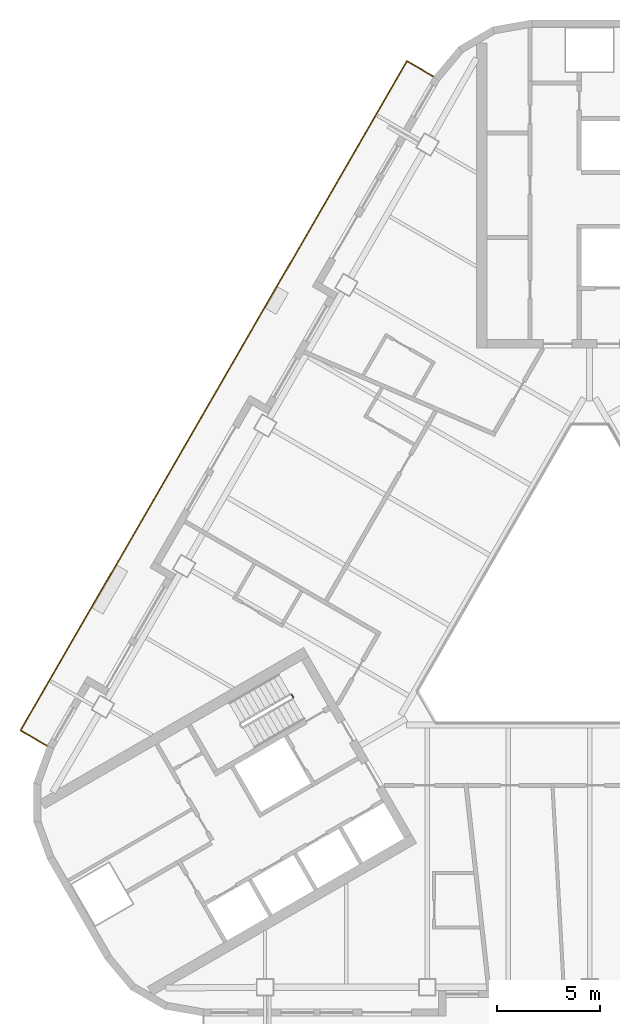
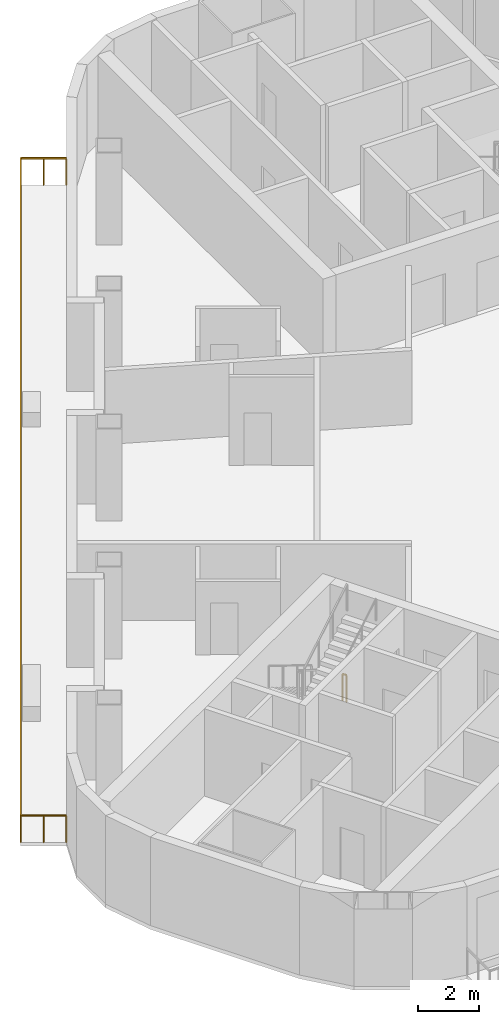
# One storey, part 10 of 13: 2 railings.
"""IFC4 building model written with IfcOpenShell, lengths in metres."""

from ifc_helpers import new_model, si_unit, direction, frame, origin, origin_2d, place, context, subcontext, project, spatial, rectangle, extrude, material, type_object, element, save


model = new_model("IFC4")

# Units and contexts
model_context = context("Model", 3, precision=1e-05, world=origin(), true_north=direction((0.0, 1.0)))
body_context = subcontext(model_context, "Body", "Model", "MODEL_VIEW")
ifc_project = project(units=[si_unit("LENGTHUNIT", "METRE"), si_unit("AREAUNIT", "SQUARE_METRE"), si_unit("VOLUMEUNIT", "CUBIC_METRE"), si_unit("PLANEANGLEUNIT", "RADIAN"), si_unit("MASSUNIT", "GRAM", prefix="KILO")], contexts=[model_context])

# Site, building, storey
site_placement = place(None, origin())
site = spatial("IfcSite", under=ifc_project, at=site_placement, CompositionType="ELEMENT")
building_placement = place(site_placement, origin())
building = spatial("IfcBuilding", under=site, at=building_placement, Name="Apuvela Tower Hotel", CompositionType="ELEMENT")
storey_placement = place(building_placement, frame((0.0, 0.0, 165.10009765625)))
storey = spatial("IfcBuildingStorey", under=building, at=storey_placement, Name="L39", CompositionType="ELEMENT", Elevation=165.10009765625)

# Railings
ifc_material_1 = material(Name="Steel S275 balustrade", Category="steel")
railing_type_1 = type_object("IfcRailingType", Name="COR-GUARD-1100", PredefinedType="GUARDRAIL", material=ifc_material_1)
railing_1_placement = place(storey_placement, frame((-14.500732421875, -3.984130859375, 0.0)))
element("IfcRailing", 1, at=railing_1_placement, inside=storey, type_object=railing_type_1, Name="L39 ST2 stair guard 4", PredefinedType="GUARDRAIL", context=body_context, shape_type="SweptSolid", body=[
    extrude(rectangle(XDim=0.048095703125, YDim=0.048095703125, at=origin_2d()), frame((0.0, 0.0, 1.076171875), z_axis=(0.499816412211, -0.866131372301, 0.0), x_axis=(0.866131372301, 0.499816412211, 0.0)), (0.0, 0.0, 1.0), 0.14990234375),
    extrude(rectangle(XDim=0.0419921875, YDim=0.0419921875, at=origin_2d()), origin(), (0.0, 0.0, 1.0), 1.052001953125),
    extrude(rectangle(XDim=0.0419921875, YDim=0.0419921875, at=origin_2d()), frame((0.074951171875, -0.1298828125, 0.0)), (0.0, 0.0, 1.0), 1.052001953125),
])
ifc_material_2 = material(Name="Stainless steel 316 rail with laminated glass infill", Category="steel")
railing_type_2 = type_object("IfcRailingType", Name="ENV-GUARD-1100", PredefinedType="GUARDRAIL", material=ifc_material_2)
railing_2_placement = place(storey_placement, frame((-7.59228515625, 26.110107421875, 0.0)))
element("IfcRailing", 2, at=railing_2_placement, inside=storey, type_object=railing_type_2, Name="Balcony guard NW L39", PredefinedType="GUARDRAIL", context=body_context, shape_type="SweptSolid", body=[
    extrude(rectangle(XDim=0.050048828125, YDim=0.050048828125, at=origin_2d()), frame((0.0, 0.0, 1.0751953125), z_axis=(-0.86599040064, 0.500060622324, 0.0), x_axis=(-0.500060622324, -0.86599040064, 0.0)), (0.0, 0.0, 1.0), 1.499755859375),
    extrude(rectangle(XDim=0.050048828125, YDim=0.050048828125, at=origin_2d()), frame((-1.298828125, 0.75, 1.0751953125), z_axis=(-0.500000437506, -0.86602515119, 0.0), x_axis=(0.86602515119, -0.500000437506, 0.0)), (0.0, 0.0, 1.0), 37.6318359375),
    extrude(rectangle(XDim=0.050048828125, YDim=0.050048828125, at=origin_2d()), frame((-20.11474609375, -31.840087890625, 1.0751953125), z_axis=(0.866031096941, -0.499990139034, 0.0), x_axis=(0.499990139034, 0.866031096941, 0.0)), (0.0, 0.0, 1.0), 1.5),
    extrude(rectangle(XDim=0.0400390625, YDim=0.0400390625, at=origin_2d()), origin(), (0.0, 0.0, 1.0), 1.050048828125),
    extrude(rectangle(XDim=0.0400390625, YDim=0.0400390625, at=origin_2d()), frame((-0.6494140625, 0.375, 0.0)), (0.0, 0.0, 1.0), 1.050048828125),
    extrude(rectangle(XDim=0.0400390625, YDim=0.0400390625, at=origin_2d()), frame((-1.298828125, 0.75, 0.0)), (0.0, 0.0, 1.0), 1.050048828125),
    extrude(rectangle(XDim=0.0400390625, YDim=0.0400390625, at=origin_2d()), frame((-1.88671875, -0.2685546875, 0.0)), (0.0, 0.0, 1.0), 1.050048828125),
    extrude(rectangle(XDim=0.0400390625, YDim=0.0400390625, at=origin_2d()), frame((-2.474853515625, -1.286865234375, 0.0)), (0.0, 0.0, 1.0), 1.050048828125),
    extrude(rectangle(XDim=0.0400390625, YDim=0.0400390625, at=origin_2d()), frame((-3.062744140625, -2.305419921875, 0.0)), (0.0, 0.0, 1.0), 1.050048828125),
    extrude(rectangle(XDim=0.0400390625, YDim=0.0400390625, at=origin_2d()), frame((-3.65087890625, -3.32373046875, 0.0)), (0.0, 0.0, 1.0), 1.050048828125),
    extrude(rectangle(XDim=0.0400390625, YDim=0.0400390625, at=origin_2d()), frame((-4.23876953125, -4.34228515625, 0.0)), (0.0, 0.0, 1.0), 1.050048828125),
    extrude(rectangle(XDim=0.0400390625, YDim=0.0400390625, at=origin_2d()), frame((-4.826904296875, -5.360595703125, 0.0)), (0.0, 0.0, 1.0), 1.050048828125),
    extrude(rectangle(XDim=0.0400390625, YDim=0.0400390625, at=origin_2d()), frame((-5.414794921875, -6.379150390625, 0.0)), (0.0, 0.0, 1.0), 1.050048828125),
    extrude(rectangle(XDim=0.0400390625, YDim=0.0400390625, at=origin_2d()), frame((-6.0029296875, -7.3974609375, 0.0)), (0.0, 0.0, 1.0), 1.050048828125),
    extrude(rectangle(XDim=0.0400390625, YDim=0.0400390625, at=origin_2d()), frame((-6.5908203125, -8.416015625, 0.0)), (0.0, 0.0, 1.0), 1.050048828125),
    extrude(rectangle(XDim=0.0400390625, YDim=0.0400390625, at=origin_2d()), frame((-7.1787109375, -9.434326171875, 0.0)), (0.0, 0.0, 1.0), 1.050048828125),
    extrude(rectangle(XDim=0.0400390625, YDim=0.0400390625, at=origin_2d()), frame((-7.766845703125, -10.452880859375, 0.0)), (0.0, 0.0, 1.0), 1.050048828125),
    extrude(rectangle(XDim=0.0400390625, YDim=0.0400390625, at=origin_2d()), frame((-8.354736328125, -11.47119140625, 0.0)), (0.0, 0.0, 1.0), 1.050048828125),
    extrude(rectangle(XDim=0.0400390625, YDim=0.0400390625, at=origin_2d()), frame((-8.94287109375, -12.48974609375, 0.0)), (0.0, 0.0, 1.0), 1.050048828125),
    extrude(rectangle(XDim=0.0400390625, YDim=0.0400390625, at=origin_2d()), frame((-9.53076171875, -13.508056640625, 0.0)), (0.0, 0.0, 1.0), 1.050048828125),
    extrude(rectangle(XDim=0.0400390625, YDim=0.0400390625, at=origin_2d()), frame((-10.118896484375, -14.526611328125, 0.0)), (0.0, 0.0, 1.0), 1.050048828125),
    extrude(rectangle(XDim=0.0400390625, YDim=0.0400390625, at=origin_2d()), frame((-10.706787109375, -15.544921875, 0.0)), (0.0, 0.0, 1.0), 1.050048828125),
    extrude(rectangle(XDim=0.0400390625, YDim=0.0400390625, at=origin_2d()), frame((-11.294677734375, -16.5634765625, 0.0)), (0.0, 0.0, 1.0), 1.050048828125),
    extrude(rectangle(XDim=0.0400390625, YDim=0.0400390625, at=origin_2d()), frame((-11.8828125, -17.58203125, 0.0)), (0.0, 0.0, 1.0), 1.050048828125),
    extrude(rectangle(XDim=0.0400390625, YDim=0.0400390625, at=origin_2d()), frame((-12.470703125, -18.600341796875, 0.0)), (0.0, 0.0, 1.0), 1.050048828125),
    extrude(rectangle(XDim=0.0400390625, YDim=0.0400390625, at=origin_2d()), frame((-13.058837890625, -19.618896484375, 0.0)), (0.0, 0.0, 1.0), 1.050048828125),
    extrude(rectangle(XDim=0.0400390625, YDim=0.0400390625, at=origin_2d()), frame((-13.646728515625, -20.63720703125, 0.0)), (0.0, 0.0, 1.0), 1.050048828125),
    extrude(rectangle(XDim=0.0400390625, YDim=0.0400390625, at=origin_2d()), frame((-14.23486328125, -21.65576171875, 0.0)), (0.0, 0.0, 1.0), 1.050048828125),
    extrude(rectangle(XDim=0.0400390625, YDim=0.0400390625, at=origin_2d()), frame((-14.82275390625, -22.674072265625, 0.0)), (0.0, 0.0, 1.0), 1.050048828125),
    extrude(rectangle(XDim=0.0400390625, YDim=0.0400390625, at=origin_2d()), frame((-15.41064453125, -23.692626953125, 0.0)), (0.0, 0.0, 1.0), 1.050048828125),
    extrude(rectangle(XDim=0.0400390625, YDim=0.0400390625, at=origin_2d()), frame((-15.998779296875, -24.7109375, 0.0)), (0.0, 0.0, 1.0), 1.050048828125),
    extrude(rectangle(XDim=0.0400390625, YDim=0.0400390625, at=origin_2d()), frame((-16.586669921875, -25.7294921875, 0.0)), (0.0, 0.0, 1.0), 1.050048828125),
    extrude(rectangle(XDim=0.0400390625, YDim=0.0400390625, at=origin_2d()), frame((-17.1748046875, -26.747802734375, 0.0)), (0.0, 0.0, 1.0), 1.050048828125),
    extrude(rectangle(XDim=0.0400390625, YDim=0.0400390625, at=origin_2d()), frame((-17.7626953125, -27.766357421875, 0.0)), (0.0, 0.0, 1.0), 1.050048828125),
    extrude(rectangle(XDim=0.0400390625, YDim=0.0400390625, at=origin_2d()), frame((-18.350830078125, -28.78466796875, 0.0)), (0.0, 0.0, 1.0), 1.050048828125),
    extrude(rectangle(XDim=0.0400390625, YDim=0.0400390625, at=origin_2d()), frame((-18.938720703125, -29.80322265625, 0.0)), (0.0, 0.0, 1.0), 1.050048828125),
    extrude(rectangle(XDim=0.0400390625, YDim=0.0400390625, at=origin_2d()), frame((-19.52685546875, -30.821533203125, 0.0)), (0.0, 0.0, 1.0), 1.050048828125),
    extrude(rectangle(XDim=0.0400390625, YDim=0.0400390625, at=origin_2d()), frame((-20.11474609375, -31.840087890625, 0.0)), (0.0, 0.0, 1.0), 1.050048828125),
    extrude(rectangle(XDim=0.0400390625, YDim=0.0400390625, at=origin_2d()), frame((-19.46533203125, -32.215087890625, 0.0)), (0.0, 0.0, 1.0), 1.050048828125),
    extrude(rectangle(XDim=0.0400390625, YDim=0.0400390625, at=origin_2d()), frame((-18.815673828125, -32.590087890625, 0.0)), (0.0, 0.0, 1.0), 1.050048828125),
])

save(model, "model.ifc")
